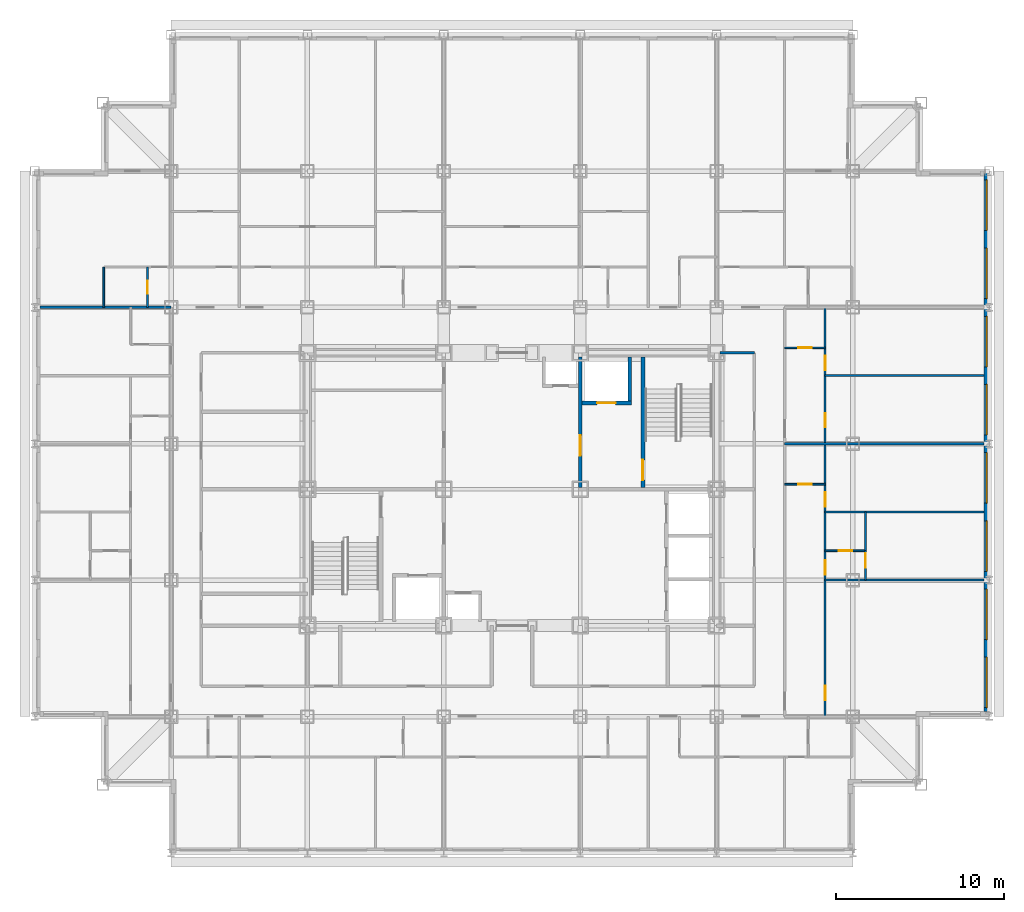
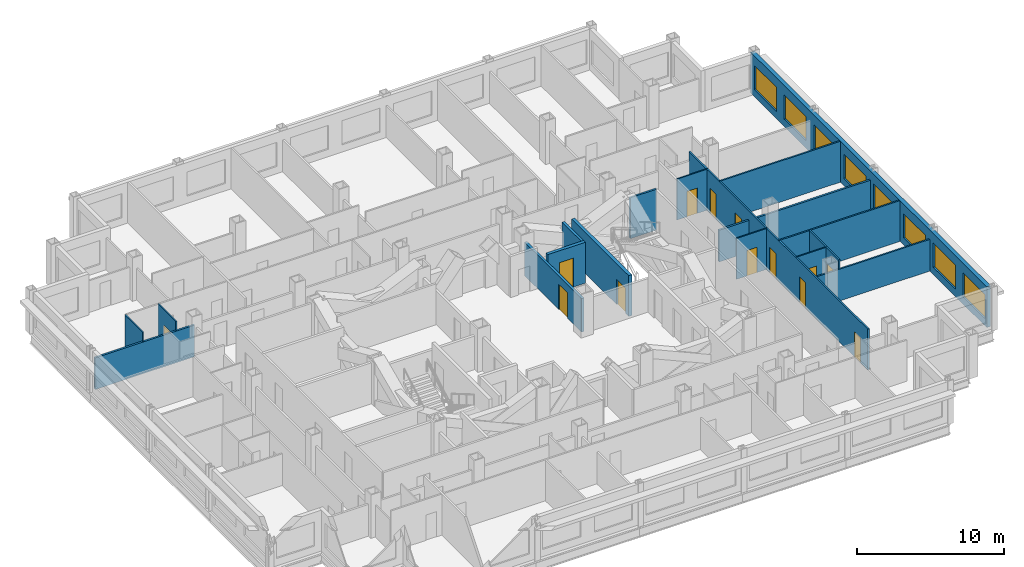
# One storey, part 8 of 12: 19 walls, 13 doors, 8 windows, 21 openings.
"""IFC4 building model written with IfcOpenShell, lengths in metres."""

import ifcopenshell
import ifcopenshell.guid

model = None  # the IFC model being written
_history = None  # IfcOwnerHistory: only IFC2X3 demands one
_inside = {}  # id of a spatial element -> (the spatial element, [elements in it])
_under = {}  # id of a project, library or spatial element -> (it, [spatial elements below it])
_declared = {}  # id of a project -> (the project, [libraries it declares])
_typed = {}  # id of a type object -> (the type object, [elements of that type])
_made_of = {}  # id of a material, layer set ... -> (it, [elements and type objects made of it])


def new_model(schema):
    """Start an empty IFC model of exactly this schema.

    Asked for "IFC4X3", IfcOpenShell would pick the latest addendum, in which some entities
    have other attributes; the version numbers below select the first issue.
    IFC2X3 requires an IfcOwnerHistory on every rooted entity: one is made here for all.
    """
    global model, _history
    if schema == "IFC4X3":
        model = ifcopenshell.file(schema_version=(4, 3, 0, 0))
    else:
        model = ifcopenshell.file(schema=schema)
    _inside.clear()
    _under.clear()
    _declared.clear()
    _typed.clear()
    _made_of.clear()
    _history = None
    if model.schema == "IFC2X3":
        org = make("IfcOrganization", Name="unknown")
        user = make(
            "IfcPersonAndOrganization",
            ThePerson=make("IfcPerson", FamilyName="unknown"),
            TheOrganization=org,
        )
        app = make(
            "IfcApplication",
            ApplicationDeveloper=org,
            Version="unknown",
            ApplicationFullName="unknown",
            ApplicationIdentifier="unknown",
        )
        _history = make(
            "IfcOwnerHistory",
            OwningUser=user,
            OwningApplication=app,
            ChangeAction="ADDED",
            CreationDate=0,
        )
    return model


def make(cls, **values):
    """One entity of the class cls with the attributes given. An attribute that is None is left unset."""
    return model.create_entity(
        cls, **{name: value for name, value in values.items() if value is not None}
    )


def rooted(cls, **values):
    """An entity with a GlobalId (a new one), such as an element, a storey or a relation."""
    return make(cls, GlobalId=ifcopenshell.guid.new(), OwnerHistory=_history, **values)


def si_unit(unit_type, name, prefix=None):
    """IfcSIUnit, for example si_unit("LENGTHUNIT", "METRE", prefix="MILLI")."""
    return make("IfcSIUnit", UnitType=unit_type, Prefix=prefix, Name=name)


def assignment(units):
    """IfcUnitAssignment: the units of a project."""
    return None if units is None else make("IfcUnitAssignment", Units=units)


def point(xyz):
    """IfcCartesianPoint."""
    return None if xyz is None else make("IfcCartesianPoint", Coordinates=xyz)


def direction(xyz):
    """IfcDirection."""
    return None if xyz is None else make("IfcDirection", DirectionRatios=xyz)


def frame(location, z_axis=None, x_axis=None):
    """IfcAxis2Placement3D, a coordinate frame: its origin and axes. An axis left out is left unset."""
    return make(
        "IfcAxis2Placement3D",
        Location=point(location),
        Axis=direction(z_axis),
        RefDirection=direction(x_axis),
    )


def frame_2d(location, x_axis=None):
    """IfcAxis2Placement2D, a coordinate frame in the plane: its origin and x axis."""
    return make(
        "IfcAxis2Placement2D", Location=point(location), RefDirection=direction(x_axis)
    )


def origin():
    """The frame at (0, 0, 0) with its axes left unset."""
    return frame((0.0, 0.0, 0.0))


def place(relative_to, where):
    """IfcLocalPlacement: puts the frame where relative to a parent placement (None: the world)."""
    return make(
        "IfcLocalPlacement", PlacementRelTo=relative_to, RelativePlacement=where
    )


def context(
    kind, dimensions, precision=None, world=None, true_north=None, identifier=None
):
    """IfcGeometricRepresentationContext, for example the 3D "Model" context."""
    return make(
        "IfcGeometricRepresentationContext",
        ContextIdentifier=identifier,
        ContextType=kind,
        CoordinateSpaceDimension=dimensions,
        Precision=precision,
        WorldCoordinateSystem=world,
        TrueNorth=true_north,
    )


def subcontext(parent, identifier, kind, view, scale=None):
    """IfcGeometricRepresentationSubContext, for example "Body" below "Model"."""
    return make(
        "IfcGeometricRepresentationSubContext",
        ContextIdentifier=identifier,
        ContextType=kind,
        ParentContext=parent,
        TargetScale=scale,
        TargetView=view,
    )


def project(units=None, contexts=None):
    """IfcProject with its units and contexts."""
    return rooted(
        "IfcProject",
        Name="project",
        RepresentationContexts=contexts,
        UnitsInContext=assignment(units),
    )


def spatial(cls, under=None, at=None, **own):
    """A site, building, storey or space (cls), placed at a placement, below another one or the project."""
    s = rooted(cls, ObjectPlacement=at, **own)
    if under is not None:
        _under.setdefault(under.id(), (under, []))[1].append(s)
    return s


def profile(cls, at=None, kind="AREA", **sizes):
    """A parametric profile (cls). Its sizes go by their IFC names, for example OverallWidth=200.0."""
    return make(cls, ProfileType=kind, Position=at, **sizes)


def rectangle(**sizes):
    """IfcRectangleProfileDef."""
    return profile("IfcRectangleProfileDef", **sizes)


def extrude(swept, where, along, depth):
    """IfcExtrudedAreaSolid: the profile swept, set in the frame where, extruded along a direction by depth."""
    return make(
        "IfcExtrudedAreaSolid",
        SweptArea=swept,
        Position=where,
        ExtrudedDirection=direction(along),
        Depth=depth,
    )


def shape(context_of_items, identifier, shape_type, items):
    """IfcShapeRepresentation: the items that make up one representation, for example the "Body"."""
    return make(
        "IfcShapeRepresentation",
        ContextOfItems=context_of_items,
        RepresentationIdentifier=identifier,
        RepresentationType=shape_type,
        Items=items,
    )


def material(Name=None, Category=None):
    """IfcMaterial."""
    return make("IfcMaterial", Name=Name, Category=Category)


def layer(
    of_material, thickness, ventilated=None, Name=None, Category=None, Priority=None
):
    """IfcMaterialLayer: one layer of a wall or slab, of a material (None: an air gap)."""
    return make(
        "IfcMaterialLayer",
        Material=of_material,
        LayerThickness=thickness,
        IsVentilated=ventilated,
        Name=Name,
        Category=Category,
        Priority=Priority,
    )


def layer_set(layers, Name=None):
    """IfcMaterialLayerSet."""
    return make("IfcMaterialLayerSet", MaterialLayers=layers, LayerSetName=Name)


def made_of(thing, what):
    """Note that an element or type object is made of a material, layer set ...; save() writes the relation."""
    if what is not None:
        _made_of.setdefault(what.id(), (what, []))[1].append(thing)
    return thing


def type_object(cls, material=None, **own):
    """A type object (cls), such as IfcWallType, which elements share."""
    return made_of(rooted(cls, **own), material)


def element(
    cls,
    number,
    at=None,
    inside=None,
    cuts=None,
    type_object=None,
    material=None,
    context=None,
    identifier="Body",
    shape_type=None,
    held_by="IfcProductDefinitionShape",
    body=None,
    shapes=None,
    **own,
):
    """One element of the class cls, such as IfcWall. Its Tag is "e" and its number.

    at: its placement. inside: the storey or other place that contains it. cuts: it is an
    opening in that element (IfcRelVoidsElement). A single representation is given by context,
    identifier, shape_type and body (its items); several are given by shapes. held_by: the class
    of the entity that holds the representations. save() writes the other relations.
    """
    e = rooted(cls, Tag="e%d" % number, ObjectPlacement=at, **own)
    if body is not None:
        shapes = [shape(context, identifier, shape_type, body)]
    if shapes is not None:
        e.Representation = make(held_by, Representations=shapes)
    if inside is not None:
        _inside.setdefault(inside.id(), (inside, []))[1].append(e)
    if cuts is not None:
        rooted(
            "IfcRelVoidsElement", RelatingBuildingElement=cuts, RelatedOpeningElement=e
        )
    if type_object is not None:
        _typed.setdefault(type_object.id(), (type_object, []))[1].append(e)
    return made_of(e, material)


def fill(opening, filler):
    """IfcRelFillsElement: the door or window that sits in an opening."""
    return rooted(
        "IfcRelFillsElement",
        RelatingOpeningElement=opening,
        RelatedBuildingElement=filler,
    )


def aggregate(whole, parts):
    """IfcRelAggregates: a whole, such as a stair, and the parts it consists of."""
    return rooted("IfcRelAggregates", RelatingObject=whole, RelatedObjects=parts)


def save(model, path):
    """Write the relations noted so far, then the file.

    IfcRelAggregates (storeys below a building ...), IfcRelContainedInSpatialStructure (elements
    in a storey), IfcRelDefinesByType, IfcRelAssociatesMaterial and IfcRelDeclares: one each for
    every whole, place, type object, material and project.
    """
    for whole, parts in _under.values():
        aggregate(whole, parts)
    for where, things in _inside.values():
        rooted(
            "IfcRelContainedInSpatialStructure",
            RelatedElements=things,
            RelatingStructure=where,
        )
    for kind, things in _typed.values():
        rooted("IfcRelDefinesByType", RelatedObjects=things, RelatingType=kind)
    for what, things in _made_of.values():
        rooted("IfcRelAssociatesMaterial", RelatedObjects=things, RelatingMaterial=what)
    for by, libraries in _declared.values():
        rooted("IfcRelDeclares", RelatingContext=by, RelatedDefinitions=libraries)
    model.write(path)


model = new_model("IFC4")

# Units and contexts
model_context = context("Model", 3, precision=1e-05, world=origin(), true_north=direction((0.0, 1.0)))
body_context = subcontext(model_context, "Body", "Model", "MODEL_VIEW")
ifc_project = project(units=[si_unit("LENGTHUNIT", "METRE"), si_unit("AREAUNIT", "SQUARE_METRE"), si_unit("VOLUMEUNIT", "CUBIC_METRE"), si_unit("PLANEANGLEUNIT", "RADIAN"), si_unit("MASSUNIT", "GRAM", prefix="KILO")], contexts=[model_context])

# Site, building, storey
site_placement = place(None, origin())
site = spatial("IfcSite", under=ifc_project, at=site_placement, CompositionType="ELEMENT")
building_placement = place(site_placement, origin())
building = spatial("IfcBuilding", under=site, at=building_placement, Name="Kopane Lantern Tower", CompositionType="ELEMENT")
storey_placement = place(building_placement, frame((0.0, 0.0, 224.39990234375)))
storey = spatial("IfcBuildingStorey", under=building, at=storey_placement, Name="L58", CompositionType="ELEMENT", Elevation=224.39990234375)

# Wall, openings, doors
ifc_material_1 = material(Name="Gypsum board on steel studs", Category="steel")
ifc_layer_1 = layer(ifc_material_1, 0.1201171875)
ifc_layer_set_1 = layer_set([ifc_layer_1], Name="APARTMENT INTERNAL WALL 120")
wall_type_1 = type_object("IfcWallType", Name="APARTMENT INTERNAL WALL 120", PredefinedType="PARTITIONING", material=ifc_layer_set_1)
wall_1_placement = place(storey_placement, frame((46.949951171875, 18.89990234375, 0.0), z_axis=(0.0, 0.0, 1.0), x_axis=(0.0, 1.0, 0.0)))
wall_1 = element("IfcWall", 1, at=wall_1_placement, inside=storey, type_object=wall_type_1, Name="Apartment Internal Wall 120 L58", PredefinedType="PARTITIONING", context=body_context, shape_type="SweptSolid", body=[
    extrude(rectangle(XDim=24.300048828125, YDim=0.1201171875, at=frame_2d((12.14990234375, 0.0))), origin(), (0.0, 0.0, 1.0), 3.39013671875),
])
opening_1_placement = place(wall_1_placement, frame((0.97509765625, 0.0, 0.0)))
opening_1 = element("IfcOpeningElement", 2, at=opening_1_placement, cuts=wall_1, Name="Opening L58-043", PredefinedType="OPENING", context=body_context, shape_type="SweptSolid", body=[
    extrude(rectangle(XDim=0.85009765625, YDim=2.10009765625, at=frame_2d((0.425048828125, 1.050048828125))), frame((0.0, 0.070068359375, 0.0), z_axis=(0.0, -1.0, 0.0), x_axis=(1.0, 0.0, 0.0)), (0.0, 0.0, 1.0), 0.14013671875),
])
opening_2_placement = place(wall_1_placement, frame((8.425048828125, 0.0, 0.0)))
opening_2 = element("IfcOpeningElement", 3, at=opening_2_placement, cuts=wall_1, Name="Opening L58-045", PredefinedType="OPENING", context=body_context, shape_type="SweptSolid", body=[
    extrude(rectangle(XDim=0.85009765625, YDim=2.10009765625, at=frame_2d((0.425048828125, 1.050048828125))), frame((0.0, 0.070068359375, 0.0), z_axis=(0.0, -1.0, 0.0), x_axis=(1.0, 0.0, 0.0)), (0.0, 0.0, 1.0), 0.14013671875),
])
opening_3_placement = place(wall_1_placement, frame((12.47509765625, 0.0, 0.0)))
opening_3 = element("IfcOpeningElement", 4, at=opening_3_placement, cuts=wall_1, Name="Opening L58-046", PredefinedType="OPENING", context=body_context, shape_type="SweptSolid", body=[
    extrude(rectangle(XDim=0.85009765625, YDim=2.10009765625, at=frame_2d((0.425048828125, 1.050048828125))), frame((0.0, 0.070068359375, 0.0), z_axis=(0.0, -1.0, 0.0), x_axis=(1.0, 0.0, 0.0)), (0.0, 0.0, 1.0), 0.14013671875),
])
opening_4_placement = place(wall_1_placement, frame((17.175048828125, 0.0, 0.0)))
opening_4 = element("IfcOpeningElement", 5, at=opening_4_placement, cuts=wall_1, Name="Opening L58-049", PredefinedType="OPENING", context=body_context, shape_type="SweptSolid", body=[
    extrude(rectangle(XDim=0.85009765625, YDim=2.10009765625, at=frame_2d((0.425048828125, 1.050048828125))), frame((0.0, 0.070068359375, 0.0), z_axis=(0.0, -1.0, 0.0), x_axis=(1.0, 0.0, 0.0)), (0.0, 0.0, 1.0), 0.14013671875),
])
opening_5_placement = place(wall_1_placement, frame((20.574951171875, 0.0, 0.0)))
opening_5 = element("IfcOpeningElement", 6, at=opening_5_placement, cuts=wall_1, Name="Opening L58-050", PredefinedType="OPENING", context=body_context, shape_type="SweptSolid", body=[
    extrude(rectangle(XDim=0.85009765625, YDim=2.10009765625, at=frame_2d((0.425048828125, 1.050048828125))), frame((0.0, 0.070068359375, 0.0), z_axis=(0.0, -1.0, 0.0), x_axis=(1.0, 0.0, 0.0)), (0.0, 0.0, 1.0), 0.14013671875),
])
ifc_material_2 = material(Name="Timber door set", Category="wood")
door_type_1 = type_object("IfcDoorType", Name="DOOR D4 850x2100", OperationType="SINGLE_SWING_LEFT", PredefinedType="DOOR", material=ifc_material_2)
door_1_placement = place(opening_1_placement, origin())
door_1 = element("IfcDoor", 7, at=door_1_placement, inside=storey, type_object=door_type_1, Name="Door L58-043", OperationType="SINGLE_SWING_LEFT", OverallHeight=2.10009765625, OverallWidth=0.85009765625, PredefinedType="DOOR", context=body_context, shape_type="SweptSolid", body=[
    extrude(rectangle(XDim=0.85009765625, YDim=2.10009765625, at=frame_2d((0.425048828125, 1.050048828125))), frame((0.0, 0.02490234375, 0.0), z_axis=(0.0, -1.0, 0.0), x_axis=(1.0, 0.0, 0.0)), (0.0, 0.0, 1.0), 0.050048828125),
])
fill(opening_1, door_1)
door_2_placement = place(opening_2_placement, origin())
door_2 = element("IfcDoor", 8, at=door_2_placement, inside=storey, type_object=door_type_1, Name="Door L58-045", OperationType="SINGLE_SWING_RIGHT", OverallHeight=2.10009765625, OverallWidth=0.85009765625, PredefinedType="DOOR", context=body_context, shape_type="SweptSolid", body=[
    extrude(rectangle(XDim=0.85009765625, YDim=2.10009765625, at=frame_2d((0.425048828125, 1.050048828125))), frame((0.0, 0.02490234375, 0.0), z_axis=(0.0, -1.0, 0.0), x_axis=(1.0, 0.0, 0.0)), (0.0, 0.0, 1.0), 0.050048828125),
])
fill(opening_2, door_2)
door_3_placement = place(opening_3_placement, origin())
door_3 = element("IfcDoor", 9, at=door_3_placement, inside=storey, type_object=door_type_1, Name="Door L58-046", OperationType="SINGLE_SWING_RIGHT", OverallHeight=2.10009765625, OverallWidth=0.85009765625, PredefinedType="DOOR", context=body_context, shape_type="SweptSolid", body=[
    extrude(rectangle(XDim=0.85009765625, YDim=2.10009765625, at=frame_2d((0.425048828125, 1.050048828125))), frame((0.0, 0.02490234375, 0.0), z_axis=(0.0, -1.0, 0.0), x_axis=(1.0, 0.0, 0.0)), (0.0, 0.0, 1.0), 0.050048828125),
])
fill(opening_3, door_3)
door_4_placement = place(opening_4_placement, origin())
door_4 = element("IfcDoor", 10, at=door_4_placement, inside=storey, type_object=door_type_1, Name="Door L58-049", OperationType="SINGLE_SWING_LEFT", OverallHeight=2.10009765625, OverallWidth=0.85009765625, PredefinedType="DOOR", context=body_context, shape_type="SweptSolid", body=[
    extrude(rectangle(XDim=0.85009765625, YDim=2.10009765625, at=frame_2d((0.425048828125, 1.050048828125))), frame((0.0, 0.02490234375, 0.0), z_axis=(0.0, -1.0, 0.0), x_axis=(1.0, 0.0, 0.0)), (0.0, 0.0, 1.0), 0.050048828125),
])
fill(opening_4, door_4)
door_5_placement = place(opening_5_placement, origin())
door_5 = element("IfcDoor", 11, at=door_5_placement, inside=storey, type_object=door_type_1, Name="Door L58-050", OperationType="SINGLE_SWING_RIGHT", OverallHeight=2.10009765625, OverallWidth=0.85009765625, PredefinedType="DOOR", context=body_context, shape_type="SweptSolid", body=[
    extrude(rectangle(XDim=0.85009765625, YDim=2.10009765625, at=frame_2d((0.425048828125, 1.050048828125))), frame((0.0, 0.02490234375, 0.0), z_axis=(0.0, -1.0, 0.0), x_axis=(1.0, 0.0, 0.0)), (0.0, 0.0, 1.0), 0.050048828125),
])
fill(opening_5, door_5)

# Walls
wall_2_placement = place(storey_placement, frame((46.949951171875, 27.0, 0.0), z_axis=(0.0, 0.0, 1.0), x_axis=(1.0, 0.0, 0.0)))
element("IfcWall", 12, at=wall_2_placement, inside=storey, type_object=wall_type_1, Name="Apartment Internal Wall 120 L58", PredefinedType="PARTITIONING", context=body_context, shape_type="SweptSolid", body=[
    extrude(rectangle(XDim=9.449951171875, YDim=0.1201171875, at=frame_2d((4.72509765625, 0.0))), origin(), (0.0, 0.0, 1.0), 2.6279296875),
])
for number, where, z_axis, x_axis, name in (
    (13, (46.949951171875, 31.050048828125, 0.0), (0.0, 0.0, 1.0), (1.0, 0.0, 0.0), "Apartment Internal Wall 120 L58"),
    (14, (46.949951171875, 39.14990234375, 0.0), (0.0, 0.0, 1.0), (1.0, 0.0, 0.0), "Apartment Internal Wall 120 L58"),
):
    element("IfcWall", number, at=place(storey_placement, frame(where, z_axis=z_axis, x_axis=x_axis)), inside=storey, type_object=wall_type_1, Name=name, PredefinedType="PARTITIONING", context=body_context, shape_type="SweptSolid", body=[
        extrude(rectangle(XDim=9.449951171875, YDim=0.1201171875, at=frame_2d((4.72509765625, 0.0))), origin(), (0.0, 0.0, 1.0), 3.39013671875),
    ])

# Wall, opening, door
wall_3_placement = place(storey_placement, frame((49.35009765625, 28.760009765625, 0.0), z_axis=(0.0, 0.0, 1.0), x_axis=(0.0, -1.0, 0.0)))
wall_3 = element("IfcWall", 15, at=wall_3_placement, inside=storey, type_object=wall_type_1, Name="Apartment Internal Wall 120 L58", PredefinedType="PARTITIONING", context=body_context, shape_type="SweptSolid", body=[
    extrude(rectangle(XDim=1.760009765625, YDim=0.1201171875, at=frame_2d((0.8798828125, 0.0))), origin(), (0.0, 0.0, 1.0), 3.39013671875),
])
opening_6_placement = place(wall_3_placement, frame((0.159912109375, 0.0, 0.0)))
opening_6 = element("IfcOpeningElement", 16, at=opening_6_placement, cuts=wall_3, Name="Opening L58-069", PredefinedType="OPENING", context=body_context, shape_type="SweptSolid", body=[
    extrude(rectangle(XDim=0.85009765625, YDim=2.10009765625, at=frame_2d((0.425048828125, 1.050048828125))), frame((0.0, 0.070068359375, 0.0), z_axis=(0.0, -1.0, 0.0), x_axis=(1.0, 0.0, 0.0)), (0.0, 0.0, 1.0), 0.14013671875),
])
door_6_placement = place(opening_6_placement, origin())
door_6 = element("IfcDoor", 17, at=door_6_placement, inside=storey, type_object=door_type_1, Name="Door L58-069", OperationType="SINGLE_SWING_RIGHT", OverallHeight=2.10009765625, OverallWidth=0.85009765625, PredefinedType="DOOR", context=body_context, shape_type="SweptSolid", body=[
    extrude(rectangle(XDim=0.85009765625, YDim=2.10009765625, at=frame_2d((0.425048828125, 1.050048828125))), frame((0.0, 0.02490234375, 0.0), z_axis=(0.0, -1.0, 0.0), x_axis=(1.0, 0.0, 0.0)), (0.0, 0.0, 1.0), 0.050048828125),
])
fill(opening_6, door_6)

ifc_material_3 = material(Name="Moisture-resistant board on steel studs", Category="steel")
ifc_layer_2 = layer(ifc_material_3, 0.10009765625)
ifc_layer_set_2 = layer_set([ifc_layer_2], Name="BATHROOM WALL 100")
wall_type_2 = type_object("IfcWallType", Name="BATHROOM WALL 100", PredefinedType="PARTITIONING", material=ifc_layer_set_2)
wall_4_placement = place(storey_placement, frame((44.550048828125, 32.699951171875, 0.0), z_axis=(0.0, 0.0, 1.0), x_axis=(1.0, 0.0, 0.0)))
wall_4 = element("IfcWall", 18, at=wall_4_placement, inside=storey, type_object=wall_type_2, Name="Bathroom Wall 100 L58", PredefinedType="PARTITIONING", context=body_context, shape_type="SweptSolid", body=[
    extrude(rectangle(XDim=2.39990234375, YDim=0.10009765625, at=frame_2d((1.199951171875, 0.0))), origin(), (0.0, 0.0, 1.0), 3.39013671875),
])
opening_7_placement = place(wall_4_placement, frame((0.800048828125, 0.0, 0.0)))
opening_7 = element("IfcOpeningElement", 19, at=opening_7_placement, cuts=wall_4, Name="Opening L58-041", PredefinedType="OPENING", context=body_context, shape_type="SweptSolid", body=[
    extrude(rectangle(XDim=0.800048828125, YDim=2.10009765625, at=frame_2d((0.39990234375, 1.050048828125))), frame((0.0, 0.06005859375, 0.0), z_axis=(0.0, -1.0, 0.0), x_axis=(1.0, 0.0, 0.0)), (0.0, 0.0, 1.0), 0.1201171875),
])
ifc_material_4 = material(Name="Timber door set", Category="wood")
door_type_2 = type_object("IfcDoorType", Name="DOOR D2 800x2100", OperationType="SINGLE_SWING_LEFT", PredefinedType="DOOR", material=ifc_material_4)
door_7_placement = place(opening_7_placement, origin())
door_7 = element("IfcDoor", 20, at=door_7_placement, inside=storey, type_object=door_type_2, Name="Door L58-041", OperationType="SINGLE_SWING_LEFT", OverallHeight=2.10009765625, OverallWidth=0.800048828125, PredefinedType="DOOR", context=body_context, shape_type="SweptSolid", body=[
    extrude(rectangle(XDim=0.800048828125, YDim=2.10009765625, at=frame_2d((0.39990234375, 1.050048828125))), frame((0.0, 0.02490234375, 0.0), z_axis=(0.0, -1.0, 0.0), x_axis=(1.0, 0.0, 0.0)), (0.0, 0.0, 1.0), 0.050048828125),
])
fill(opening_7, door_7)

wall_5_placement = place(storey_placement, frame((46.949951171875, 28.75, 0.0), z_axis=(0.0, 0.0, 1.0), x_axis=(1.0, 0.0, 0.0)))
wall_5 = element("IfcWall", 21, at=wall_5_placement, inside=storey, type_object=wall_type_2, Name="Bathroom Wall 100 L58", PredefinedType="PARTITIONING", context=body_context, shape_type="SweptSolid", body=[
    extrude(rectangle(XDim=2.400146484375, YDim=0.10009765625, at=frame_2d((1.2001953125, 0.0))), origin(), (0.0, 0.0, 1.0), 3.39013671875),
])
opening_8_placement = place(wall_5_placement, frame((0.800048828125, 0.0, 0.0)))
opening_8 = element("IfcOpeningElement", 22, at=opening_8_placement, cuts=wall_5, Name="Opening L58-044", PredefinedType="OPENING", context=body_context, shape_type="SweptSolid", body=[
    extrude(rectangle(XDim=0.800048828125, YDim=2.10009765625, at=frame_2d((0.39990234375, 1.050048828125))), frame((0.0, 0.06005859375, 0.0), z_axis=(0.0, -1.0, 0.0), x_axis=(1.0, 0.0, 0.0)), (0.0, 0.0, 1.0), 0.1201171875),
])
door_8_placement = place(opening_8_placement, origin())
door_8 = element("IfcDoor", 23, at=door_8_placement, inside=storey, type_object=door_type_2, Name="Door L58-044", OperationType="SINGLE_SWING_LEFT", OverallHeight=2.10009765625, OverallWidth=0.800048828125, PredefinedType="DOOR", context=body_context, shape_type="SweptSolid", body=[
    extrude(rectangle(XDim=0.800048828125, YDim=2.10009765625, at=frame_2d((0.39990234375, 1.050048828125))), frame((0.0, 0.02490234375, 0.0), z_axis=(0.0, -1.0, 0.0), x_axis=(1.0, 0.0, 0.0)), (0.0, 0.0, 1.0), 0.050048828125),
])
fill(opening_8, door_8)

# Wall
wall_6_placement = place(storey_placement, frame((49.35009765625, 28.75, 0.0), z_axis=(0.0, 0.0, 1.0), x_axis=(0.0, 1.0, 0.0)))
element("IfcWall", 24, at=wall_6_placement, inside=storey, type_object=wall_type_2, Name="Bathroom Wall 100 L58", PredefinedType="PARTITIONING", context=body_context, shape_type="SweptSolid", body=[
    extrude(rectangle(XDim=2.300048828125, YDim=0.10009765625, at=frame_2d((1.14990234375, 0.0))), origin(), (0.0, 0.0, 1.0), 3.39013671875),
])

# Wall, opening, door
wall_7_placement = place(storey_placement, frame((44.550048828125, 40.800048828125, 0.0), z_axis=(0.0, 0.0, 1.0), x_axis=(1.0, 0.0, 0.0)))
wall_7 = element("IfcWall", 25, at=wall_7_placement, inside=storey, type_object=wall_type_2, Name="Bathroom Wall 100 L58", PredefinedType="PARTITIONING", context=body_context, shape_type="SweptSolid", body=[
    extrude(rectangle(XDim=2.39990234375, YDim=0.10009765625, at=frame_2d((1.199951171875, 0.0))), origin(), (0.0, 0.0, 1.0), 3.39013671875),
])
opening_9_placement = place(wall_7_placement, frame((0.800048828125, 0.0, 0.0)))
opening_9 = element("IfcOpeningElement", 26, at=opening_9_placement, cuts=wall_7, Name="Opening L58-047", PredefinedType="OPENING", context=body_context, shape_type="SweptSolid", body=[
    extrude(rectangle(XDim=0.800048828125, YDim=2.10009765625, at=frame_2d((0.39990234375, 1.050048828125))), frame((0.0, 0.06005859375, 0.0), z_axis=(0.0, -1.0, 0.0), x_axis=(1.0, 0.0, 0.0)), (0.0, 0.0, 1.0), 0.1201171875),
])
door_9_placement = place(opening_9_placement, origin())
door_9 = element("IfcDoor", 27, at=door_9_placement, inside=storey, type_object=door_type_2, Name="Door L58-047", OperationType="SINGLE_SWING_LEFT", OverallHeight=2.10009765625, OverallWidth=0.800048828125, PredefinedType="DOOR", context=body_context, shape_type="SweptSolid", body=[
    extrude(rectangle(XDim=0.800048828125, YDim=2.10009765625, at=frame_2d((0.39990234375, 1.050048828125))), frame((0.0, 0.02490234375, 0.0), z_axis=(0.0, -1.0, 0.0), x_axis=(1.0, 0.0, 0.0)), (0.0, 0.0, 1.0), 0.050048828125),
])
fill(opening_9, door_9)

wall_8_placement = place(storey_placement, frame((6.699951171875, 43.199951171875, 0.0), z_axis=(0.0, 0.0, 1.0), x_axis=(0.0, 1.0, 0.0)))
wall_8 = element("IfcWall", 28, at=wall_8_placement, inside=storey, type_object=wall_type_2, Name="Bathroom Wall 100 L58", PredefinedType="PARTITIONING", context=body_context, shape_type="SweptSolid", body=[
    extrude(rectangle(XDim=2.400146484375, YDim=0.10009765625, at=frame_2d((1.2001953125, 0.0))), origin(), (0.0, 0.0, 1.0), 3.39013671875),
])
opening_10_placement = place(wall_8_placement, frame((0.800048828125, 0.0, 0.0)))
opening_10 = element("IfcOpeningElement", 29, at=opening_10_placement, cuts=wall_8, Name="Opening L58-065", PredefinedType="OPENING", context=body_context, shape_type="SweptSolid", body=[
    extrude(rectangle(XDim=0.800048828125, YDim=2.10009765625, at=frame_2d((0.39990234375, 1.050048828125))), frame((0.0, 0.06005859375, 0.0), z_axis=(0.0, -1.0, 0.0), x_axis=(1.0, 0.0, 0.0)), (0.0, 0.0, 1.0), 0.1201171875),
])
door_10_placement = place(opening_10_placement, origin())
door_10 = element("IfcDoor", 30, at=door_10_placement, inside=storey, type_object=door_type_2, Name="Door L58-065", OperationType="SINGLE_SWING_LEFT", OverallHeight=2.10009765625, OverallWidth=0.800048828125, PredefinedType="DOOR", context=body_context, shape_type="SweptSolid", body=[
    extrude(rectangle(XDim=0.800048828125, YDim=2.10009765625, at=frame_2d((0.39990234375, 1.050048828125))), frame((0.0, 0.02490234375, 0.0), z_axis=(0.0, -1.0, 0.0), x_axis=(1.0, 0.0, 0.0)), (0.0, 0.0, 1.0), 0.050048828125),
])
fill(opening_10, door_10)

# Wall
wall_9_placement = place(storey_placement, frame((4.10009765625, 43.199951171875, 0.0), z_axis=(0.0, 0.0, 1.0), x_axis=(0.0, 1.0, 0.0)))
element("IfcWall", 31, at=wall_9_placement, inside=storey, type_object=wall_type_2, Name="Bathroom Wall 100 L58", PredefinedType="PARTITIONING", context=body_context, shape_type="SweptSolid", body=[
    extrude(rectangle(XDim=2.400146484375, YDim=0.10009765625, at=frame_2d((1.2001953125, 0.0))), origin(), (0.0, 0.0, 1.0), 3.39013671875),
])

# Wall, opening, door
ifc_material_5 = material(Name="Gypsum shaft wall EI 120", Category="gypsum")
ifc_layer_3 = layer(ifc_material_5, 0.25)
ifc_layer_set_3 = layer_set([ifc_layer_3], Name="CORE SHAFT WALL 250 EI 120")
wall_type_3 = type_object("IfcWallType", Name="CORE SHAFT WALL 250 EI 120", PredefinedType="SOLIDWALL", material=ifc_layer_set_3)
wall_10_placement = place(storey_placement, frame((36.125, 32.5, 0.0), z_axis=(0.0, 0.0, 1.0), x_axis=(0.0, 1.0, 0.0)))
wall_10 = element("IfcWall", 32, at=wall_10_placement, inside=storey, type_object=wall_type_3, Name="Core shaft wall L58 XST2", PredefinedType="SOLIDWALL", context=body_context, shape_type="SweptSolid", body=[
    extrude(rectangle(XDim=7.75, YDim=0.25, at=frame_2d((3.875, 0.0))), origin(), (0.0, 0.0, 1.0), 3.39013671875),
])
opening_11_placement = place(wall_10_placement, frame((0.449951171875, 0.0, 0.0)))
opening_11 = element("IfcOpeningElement", 33, at=opening_11_placement, cuts=wall_10, Name="Opening 58.SD2", PredefinedType="OPENING", context=body_context, shape_type="SweptSolid", body=[
    extrude(rectangle(XDim=1.199951171875, YDim=2.10009765625, at=frame_2d((0.60009765625, 1.050048828125))), frame((0.0, 0.135009765625, 0.0), z_axis=(0.0, -1.0, 0.0), x_axis=(1.0, 0.0, 0.0)), (0.0, 0.0, 1.0), 0.27001953125),
])
ifc_material_6 = material(Name="Steel door set", Category="steel")
door_type_3 = type_object("IfcDoorType", Name="STAIR DOOR 1200x2100 FD60S", OperationType="SINGLE_SWING_LEFT", PredefinedType="DOOR", material=ifc_material_6)
door_11_placement = place(opening_11_placement, origin())
door_11 = element("IfcDoor", 34, at=door_11_placement, inside=storey, type_object=door_type_3, Name="Stair door ST2 L58", OperationType="SINGLE_SWING_RIGHT", OverallHeight=2.10009765625, OverallWidth=1.199951171875, PredefinedType="DOOR", context=body_context, shape_type="SweptSolid", body=[
    extrude(rectangle(XDim=1.199951171875, YDim=2.10009765625, at=frame_2d((0.60009765625, 1.050048828125))), frame((0.0, 0.02490234375, 0.0), z_axis=(0.0, -1.0, 0.0), x_axis=(1.0, 0.0, 0.0)), (0.0, 0.0, 1.0), 0.050048828125),
])
fill(opening_11, door_11)

wall_11_placement = place(storey_placement, frame((32.5, 37.52490234375, 0.0), z_axis=(0.0, 0.0, 1.0), x_axis=(1.0, 0.0, 0.0)))
wall_11 = element("IfcWall", 35, at=wall_11_placement, inside=storey, type_object=wall_type_3, Name="Core shaft wall L58 YLF2", PredefinedType="SOLIDWALL", context=body_context, shape_type="SweptSolid", body=[
    extrude(rectangle(XDim=2.949951171875, YDim=0.25, at=frame_2d((1.47509765625, 0.0))), origin(), (0.0, 0.0, 1.0), 3.39013671875),
])
opening_12_placement = place(wall_11_placement, frame((0.89990234375, 0.0, 0.0)))
opening_12 = element("IfcOpeningElement", 36, at=opening_12_placement, cuts=wall_11, Name="Opening 58.LD-LF2", PredefinedType="OPENING", context=body_context, shape_type="SweptSolid", body=[
    extrude(rectangle(XDim=1.10009765625, YDim=2.39990234375, at=frame_2d((0.550048828125, 1.199951171875))), frame((0.0, 0.135009765625, 0.0), z_axis=(0.0, -1.0, 0.0), x_axis=(1.0, 0.0, 0.0)), (0.0, 0.0, 1.0), 0.27001953125),
])
ifc_material_7 = material(Name="Steel door set", Category="steel")
door_type_4 = type_object("IfcDoorType", Name="LIFT LANDING DOOR 1100x2400 FD60", OperationType="DOUBLE_DOOR_SLIDING", PredefinedType="DOOR", material=ifc_material_7)
door_12_placement = place(opening_12_placement, origin())
door_12 = element("IfcDoor", 37, at=door_12_placement, inside=storey, type_object=door_type_4, Name="Landing door LF2 L58", OperationType="DOUBLE_DOOR_SLIDING", OverallHeight=2.39990234375, OverallWidth=1.10009765625, PredefinedType="DOOR", context=body_context, shape_type="SweptSolid", body=[
    extrude(rectangle(XDim=1.10009765625, YDim=2.39990234375, at=frame_2d((0.550048828125, 1.199951171875))), frame((0.0, 0.02490234375, 0.0), z_axis=(0.0, -1.0, 0.0), x_axis=(1.0, 0.0, 0.0)), (0.0, 0.0, 1.0), 0.050048828125),
])
fill(opening_12, door_12)

# Walls
ifc_material_8 = material(Name="Gypsum board on steel studs", Category="steel")
ifc_layer_4 = layer(ifc_material_8, 0.14990234375)
ifc_layer_set_4 = layer_set([ifc_layer_4], Name="CORRIDOR WALL 150 EI 60")
wall_type_4 = type_object("IfcWallType", Name="CORRIDOR WALL 150 EI 60", PredefinedType="PARTITIONING", material=ifc_layer_set_4)
wall_12_placement = place(storey_placement, frame((42.75, 40.5, 0.0), z_axis=(0.0, 0.0, 1.0), x_axis=(-1.0, 0.0, 0.0)))
element("IfcWall", 38, at=wall_12_placement, inside=storey, type_object=wall_type_4, Name="Corridor Wall 150 Ei 60 L58", PredefinedType="PARTITIONING", context=body_context, shape_type="SweptSolid", body=[
    extrude(rectangle(XDim=2.050048828125, YDim=0.14990234375, at=frame_2d((1.02490234375, 0.0))), origin(), (0.0, 0.0, 1.0), 3.39013671875),
])
ifc_material_9 = material(Name="Gypsum board on steel studs", Category="steel")
ifc_layer_5 = layer(ifc_material_9, 0.14990234375)
ifc_layer_set_5 = layer_set([ifc_layer_5], Name="DEMISING WALL 150 EI 60")
wall_type_5 = type_object("IfcWallType", Name="DEMISING WALL 150 EI 60", PredefinedType="PARTITIONING", material=ifc_layer_set_5)
wall_13_placement = place(storey_placement, frame((44.550048828125, 35.10009765625, 0.0), z_axis=(0.0, 0.0, 1.0), x_axis=(1.0, 0.0, 0.0)))
element("IfcWall", 39, at=wall_13_placement, inside=storey, type_object=wall_type_5, Name="Demising Wall 150 Ei 60 L58", PredefinedType="PARTITIONING", context=body_context, shape_type="SweptSolid", body=[
    extrude(rectangle(XDim=11.849853515625, YDim=0.14990234375, at=frame_2d((5.9248046875, 0.0))), origin(), (0.0, 0.0, 1.0), 2.6279296875),
])
wall_14_placement = place(storey_placement, frame((0.300048828125, 43.199951171875, 0.0), z_axis=(0.0, 0.0, 1.0), x_axis=(1.0, 0.0, 0.0)))
element("IfcWall", 40, at=wall_14_placement, inside=storey, type_object=wall_type_5, Name="Demising Wall 150 Ei 60 L58", PredefinedType="PARTITIONING", context=body_context, shape_type="SweptSolid", body=[
    extrude(rectangle(XDim=7.800048828125, YDim=0.14990234375, at=frame_2d((3.89990234375, 0.0))), origin(), (0.0, 0.0, 1.0), 2.6279296875),
])

# Wall, openings, windows
ifc_material_10 = material(Name="Terracotta rainscreen on light steel framing", Category="masonry")
ifc_layer_6 = layer(ifc_material_10, 0.300048828125)
ifc_layer_set_6 = layer_set([ifc_layer_6], Name="EXTERNAL WALL EW1 300 TERRACOTTA")
wall_type_6 = type_object("IfcWallType", Name="EXTERNAL WALL EW1 300 TERRACOTTA", PredefinedType="SOLIDWALL", material=ifc_layer_set_6)
wall_15_placement = place(storey_placement, frame((56.550048828125, 19.199951171875, 0.0), z_axis=(0.0, 0.0, 1.0), x_axis=(0.0, 1.0, 0.0)))
wall_15 = element("IfcWall", 41, at=wall_15_placement, inside=storey, type_object=wall_type_6, Name="External wall E L58", PredefinedType="SOLIDWALL", context=body_context, shape_type="SweptSolid", body=[
    extrude(rectangle(XDim=32.10009765625, YDim=0.300048828125, at=frame_2d((16.050048828125, 0.0))), origin(), (0.0, 0.0, 1.0), 3.39013671875),
])
opening_13_placement = place(wall_15_placement, frame((0.22509765625, 0.0, 0.60009765625)))
opening_13 = element("IfcOpeningElement", 42, at=opening_13_placement, cuts=wall_15, Name="Opening WR300200", PredefinedType="OPENING", context=body_context, shape_type="SweptSolid", body=[
    extrude(rectangle(XDim=3.0, YDim=2.0, at=frame_2d((1.5, 1.0))), frame((0.0, 0.159912109375, 0.0), z_axis=(0.0, -1.0, 0.0), x_axis=(1.0, 0.0, 0.0)), (0.0, 0.0, 1.0), 0.320068359375),
])
opening_14_placement = place(wall_15_placement, frame((4.27490234375, 0.0, 0.60009765625)))
opening_14 = element("IfcOpeningElement", 43, at=opening_14_placement, cuts=wall_15, Name="Opening WR300200", PredefinedType="OPENING", context=body_context, shape_type="SweptSolid", body=[
    extrude(rectangle(XDim=3.0, YDim=2.0, at=frame_2d((1.5, 1.0))), frame((0.0, 0.159912109375, 0.0), z_axis=(0.0, -1.0, 0.0), x_axis=(1.0, 0.0, 0.0)), (0.0, 0.0, 1.0), 0.320068359375),
])
opening_15_placement = place(wall_15_placement, frame((8.324951171875, 0.0, 0.60009765625)))
opening_15 = element("IfcOpeningElement", 44, at=opening_15_placement, cuts=wall_15, Name="Opening WR300200", PredefinedType="OPENING", context=body_context, shape_type="SweptSolid", body=[
    extrude(rectangle(XDim=3.0, YDim=2.0, at=frame_2d((1.5, 1.0))), frame((0.0, 0.159912109375, 0.0), z_axis=(0.0, -1.0, 0.0), x_axis=(1.0, 0.0, 0.0)), (0.0, 0.0, 1.0), 0.320068359375),
])
opening_16_placement = place(wall_15_placement, frame((12.375, 0.0, 0.60009765625)))
opening_16 = element("IfcOpeningElement", 45, at=opening_16_placement, cuts=wall_15, Name="Opening WR300200", PredefinedType="OPENING", context=body_context, shape_type="SweptSolid", body=[
    extrude(rectangle(XDim=3.0, YDim=2.0, at=frame_2d((1.5, 1.0))), frame((0.0, 0.159912109375, 0.0), z_axis=(0.0, -1.0, 0.0), x_axis=(1.0, 0.0, 0.0)), (0.0, 0.0, 1.0), 0.320068359375),
])
opening_17_placement = place(wall_15_placement, frame((16.425048828125, 0.0, 0.60009765625)))
opening_17 = element("IfcOpeningElement", 46, at=opening_17_placement, cuts=wall_15, Name="Opening WR300200", PredefinedType="OPENING", context=body_context, shape_type="SweptSolid", body=[
    extrude(rectangle(XDim=3.0, YDim=2.0, at=frame_2d((1.5, 1.0))), frame((0.0, 0.159912109375, 0.0), z_axis=(0.0, -1.0, 0.0), x_axis=(1.0, 0.0, 0.0)), (0.0, 0.0, 1.0), 0.320068359375),
])
opening_18_placement = place(wall_15_placement, frame((20.47509765625, 0.0, 0.60009765625)))
opening_18 = element("IfcOpeningElement", 47, at=opening_18_placement, cuts=wall_15, Name="Opening WR300200", PredefinedType="OPENING", context=body_context, shape_type="SweptSolid", body=[
    extrude(rectangle(XDim=3.0, YDim=2.0, at=frame_2d((1.5, 1.0))), frame((0.0, 0.159912109375, 0.0), z_axis=(0.0, -1.0, 0.0), x_axis=(1.0, 0.0, 0.0)), (0.0, 0.0, 1.0), 0.320068359375),
])
opening_19_placement = place(wall_15_placement, frame((24.52490234375, 0.0, 0.60009765625)))
opening_19 = element("IfcOpeningElement", 48, at=opening_19_placement, cuts=wall_15, Name="Opening WR300200", PredefinedType="OPENING", context=body_context, shape_type="SweptSolid", body=[
    extrude(rectangle(XDim=3.0, YDim=2.0, at=frame_2d((1.5, 1.0))), frame((0.0, 0.159912109375, 0.0), z_axis=(0.0, -1.0, 0.0), x_axis=(1.0, 0.0, 0.0)), (0.0, 0.0, 1.0), 0.320068359375),
])
opening_20_placement = place(wall_15_placement, frame((28.574951171875, 0.0, 0.60009765625)))
opening_20 = element("IfcOpeningElement", 49, at=opening_20_placement, cuts=wall_15, Name="Opening WR300200", PredefinedType="OPENING", context=body_context, shape_type="SweptSolid", body=[
    extrude(rectangle(XDim=3.0, YDim=2.0, at=frame_2d((1.5, 1.0))), frame((0.0, 0.159912109375, 0.0), z_axis=(0.0, -1.0, 0.0), x_axis=(1.0, 0.0, 0.0)), (0.0, 0.0, 1.0), 0.320068359375),
])
ifc_material_11 = material(Name="Aluminium and clear glass", Category="aluminium")
window_type = type_object("IfcWindowType", Name="RIBBON WINDOW WR300200 3000x2000", PartitioningType="SINGLE_PANEL", PredefinedType="WINDOW", material=ifc_material_11)
window_1_placement = place(opening_13_placement, origin())
window_1 = element("IfcWindow", 50, at=window_1_placement, inside=storey, type_object=window_type, Name="Window E L58", OverallHeight=2.0, OverallWidth=3.0, PartitioningType="SINGLE_PANEL", PredefinedType="WINDOW", context=body_context, shape_type="SweptSolid", body=[
    extrude(rectangle(XDim=3.0, YDim=2.0, at=frame_2d((1.5, 1.0))), frame((0.0, 0.030029296875, 0.0), z_axis=(0.0, -1.0, 0.0), x_axis=(1.0, 0.0, 0.0)), (0.0, 0.0, 1.0), 0.06005859375),
])
fill(opening_13, window_1)
window_2_placement = place(opening_14_placement, origin())
window_2 = element("IfcWindow", 51, at=window_2_placement, inside=storey, type_object=window_type, Name="Window E L58", OverallHeight=2.0, OverallWidth=3.0, PartitioningType="SINGLE_PANEL", PredefinedType="WINDOW", context=body_context, shape_type="SweptSolid", body=[
    extrude(rectangle(XDim=3.0, YDim=2.0, at=frame_2d((1.5, 1.0))), frame((0.0, 0.030029296875, 0.0), z_axis=(0.0, -1.0, 0.0), x_axis=(1.0, 0.0, 0.0)), (0.0, 0.0, 1.0), 0.06005859375),
])
fill(opening_14, window_2)
window_3_placement = place(opening_15_placement, origin())
window_3 = element("IfcWindow", 52, at=window_3_placement, inside=storey, type_object=window_type, Name="Window E L58", OverallHeight=2.0, OverallWidth=3.0, PartitioningType="SINGLE_PANEL", PredefinedType="WINDOW", context=body_context, shape_type="SweptSolid", body=[
    extrude(rectangle(XDim=3.0, YDim=2.0, at=frame_2d((1.5, 1.0))), frame((0.0, 0.030029296875, 0.0), z_axis=(0.0, -1.0, 0.0), x_axis=(1.0, 0.0, 0.0)), (0.0, 0.0, 1.0), 0.06005859375),
])
fill(opening_15, window_3)
window_4_placement = place(opening_16_placement, origin())
window_4 = element("IfcWindow", 53, at=window_4_placement, inside=storey, type_object=window_type, Name="Window E L58", OverallHeight=2.0, OverallWidth=3.0, PartitioningType="SINGLE_PANEL", PredefinedType="WINDOW", context=body_context, shape_type="SweptSolid", body=[
    extrude(rectangle(XDim=3.0, YDim=2.0, at=frame_2d((1.5, 1.0))), frame((0.0, 0.030029296875, 0.0), z_axis=(0.0, -1.0, 0.0), x_axis=(1.0, 0.0, 0.0)), (0.0, 0.0, 1.0), 0.06005859375),
])
fill(opening_16, window_4)
window_5_placement = place(opening_17_placement, origin())
window_5 = element("IfcWindow", 54, at=window_5_placement, inside=storey, type_object=window_type, Name="Window E L58", OverallHeight=2.0, OverallWidth=3.0, PartitioningType="SINGLE_PANEL", PredefinedType="WINDOW", context=body_context, shape_type="SweptSolid", body=[
    extrude(rectangle(XDim=3.0, YDim=2.0, at=frame_2d((1.5, 1.0))), frame((0.0, 0.030029296875, 0.0), z_axis=(0.0, -1.0, 0.0), x_axis=(1.0, 0.0, 0.0)), (0.0, 0.0, 1.0), 0.06005859375),
])
fill(opening_17, window_5)
window_6_placement = place(opening_18_placement, origin())
window_6 = element("IfcWindow", 55, at=window_6_placement, inside=storey, type_object=window_type, Name="Window E L58", OverallHeight=2.0, OverallWidth=3.0, PartitioningType="SINGLE_PANEL", PredefinedType="WINDOW", context=body_context, shape_type="SweptSolid", body=[
    extrude(rectangle(XDim=3.0, YDim=2.0, at=frame_2d((1.5, 1.0))), frame((0.0, 0.030029296875, 0.0), z_axis=(0.0, -1.0, 0.0), x_axis=(1.0, 0.0, 0.0)), (0.0, 0.0, 1.0), 0.06005859375),
])
fill(opening_18, window_6)
window_7_placement = place(opening_19_placement, origin())
window_7 = element("IfcWindow", 56, at=window_7_placement, inside=storey, type_object=window_type, Name="Window E L58", OverallHeight=2.0, OverallWidth=3.0, PartitioningType="SINGLE_PANEL", PredefinedType="WINDOW", context=body_context, shape_type="SweptSolid", body=[
    extrude(rectangle(XDim=3.0, YDim=2.0, at=frame_2d((1.5, 1.0))), frame((0.0, 0.030029296875, 0.0), z_axis=(0.0, -1.0, 0.0), x_axis=(1.0, 0.0, 0.0)), (0.0, 0.0, 1.0), 0.06005859375),
])
fill(opening_19, window_7)
window_8_placement = place(opening_20_placement, origin())
window_8 = element("IfcWindow", 57, at=window_8_placement, inside=storey, type_object=window_type, Name="Window E L58", OverallHeight=2.0, OverallWidth=3.0, PartitioningType="SINGLE_PANEL", PredefinedType="WINDOW", context=body_context, shape_type="SweptSolid", body=[
    extrude(rectangle(XDim=3.0, YDim=2.0, at=frame_2d((1.5, 1.0))), frame((0.0, 0.030029296875, 0.0), z_axis=(0.0, -1.0, 0.0), x_axis=(1.0, 0.0, 0.0)), (0.0, 0.0, 1.0), 0.06005859375),
])
fill(opening_20, window_8)

# Wall, opening, door
ifc_material_12 = material(Name="Gypsum shaft wall EI 120", Category="gypsum")
ifc_layer_7 = layer(ifc_material_12, 0.199951171875)
ifc_layer_set_7 = layer_set([ifc_layer_7], Name="SHAFT WALL 200 EI 120")
wall_type_7 = type_object("IfcWallType", Name="SHAFT WALL 200 EI 120", PredefinedType="SOLIDWALL", material=ifc_layer_set_7)
wall_16_placement = place(storey_placement, frame((32.39990234375, 32.5, 0.0), z_axis=(0.0, 0.0, 1.0), x_axis=(0.0, 1.0, 0.0)))
wall_16 = element("IfcWall", 58, at=wall_16_placement, inside=storey, type_object=wall_type_7, Name="Core shaft wall L58 X324", PredefinedType="SOLIDWALL", context=body_context, shape_type="SweptSolid", body=[
    extrude(rectangle(XDim=7.75, YDim=0.199951171875, at=frame_2d((3.875, 0.0))), origin(), (0.0, 0.0, 1.0), 2.77783203125),
])
opening_21_placement = place(wall_16_placement, frame((1.89990234375, 0.0, 0.0)))
opening_21 = element("IfcOpeningElement", 59, at=opening_21_placement, cuts=wall_16, Name="Opening 58.FL2", PredefinedType="OPENING", context=body_context, shape_type="SweptSolid", body=[
    extrude(rectangle(XDim=1.199951171875, YDim=2.10009765625, at=frame_2d((0.60009765625, 1.050048828125))), frame((0.0, 0.10986328125, 0.0), z_axis=(0.0, -1.0, 0.0), x_axis=(1.0, 0.0, 0.0)), (0.0, 0.0, 1.0), 0.219970703125),
])
ifc_material_13 = material(Name="Steel door set", Category="steel")
door_type_5 = type_object("IfcDoorType", Name="FIREFIGHTING LOBBY DOOR 1200x2100 FD60S", OperationType="SINGLE_SWING_RIGHT", PredefinedType="DOOR", material=ifc_material_13)
door_13_placement = place(opening_21_placement, origin())
door_13 = element("IfcDoor", 60, at=door_13_placement, inside=storey, type_object=door_type_5, Name="Firefighting lobby door FL2 L58", OperationType="SINGLE_SWING_LEFT", OverallHeight=2.10009765625, OverallWidth=1.199951171875, PredefinedType="DOOR", context=body_context, shape_type="SweptSolid", body=[
    extrude(rectangle(XDim=1.199951171875, YDim=2.10009765625, at=frame_2d((0.60009765625, 1.050048828125))), frame((0.0, 0.02490234375, 0.0), z_axis=(0.0, -1.0, 0.0), x_axis=(1.0, 0.0, 0.0)), (0.0, 0.0, 1.0), 0.050048828125),
])
fill(opening_21, door_13)

# Wall
wall_17_placement = place(storey_placement, frame((35.35009765625, 37.64990234375, 0.0), z_axis=(0.0, 0.0, 1.0), x_axis=(0.0, 1.0, 0.0)))
element("IfcWall", 61, at=wall_17_placement, inside=storey, type_object=wall_type_7, Name="Core shaft wall L58 XLF2", PredefinedType="SOLIDWALL", context=body_context, shape_type="SweptSolid", body=[
    extrude(rectangle(XDim=2.60009765625, YDim=0.199951171875, at=frame_2d((1.300048828125, 0.0))), origin(), (0.0, 0.0, 1.0), 3.39013671875),
])

save(model, "model.ifc")
